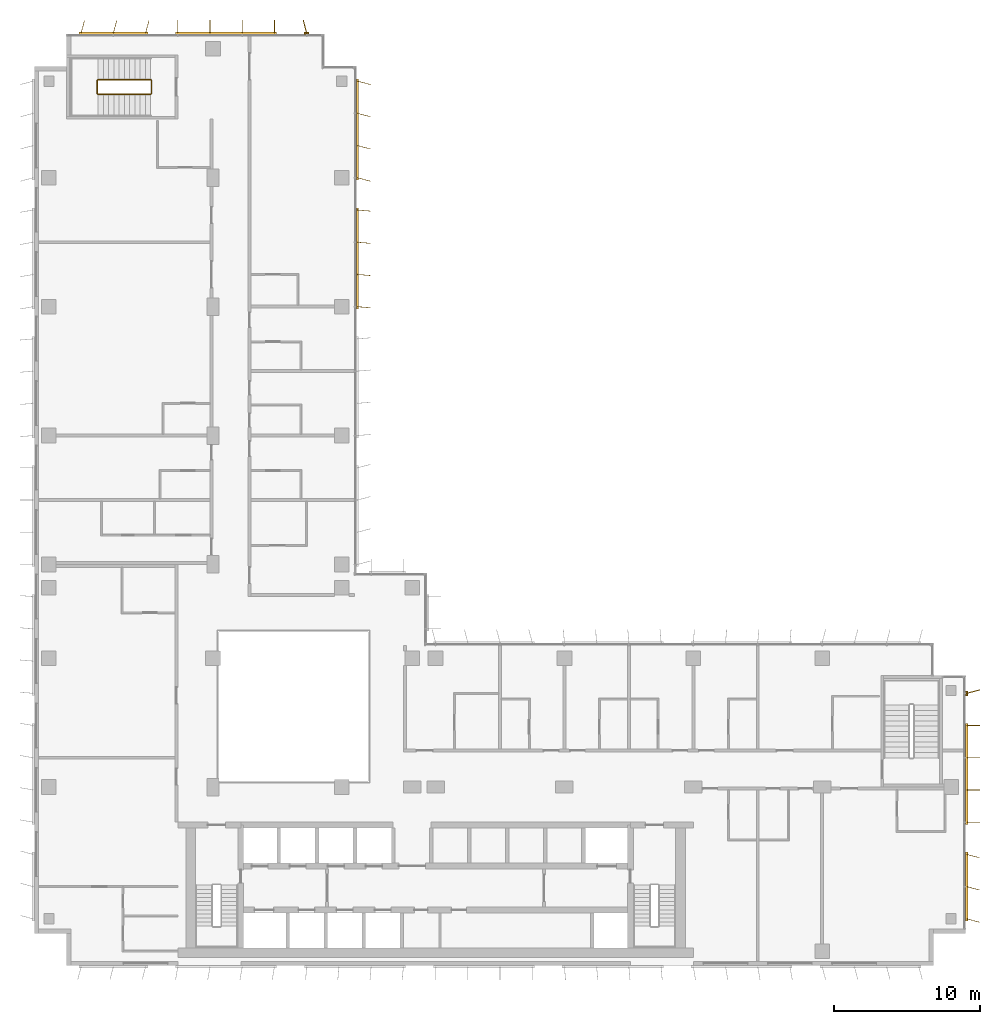
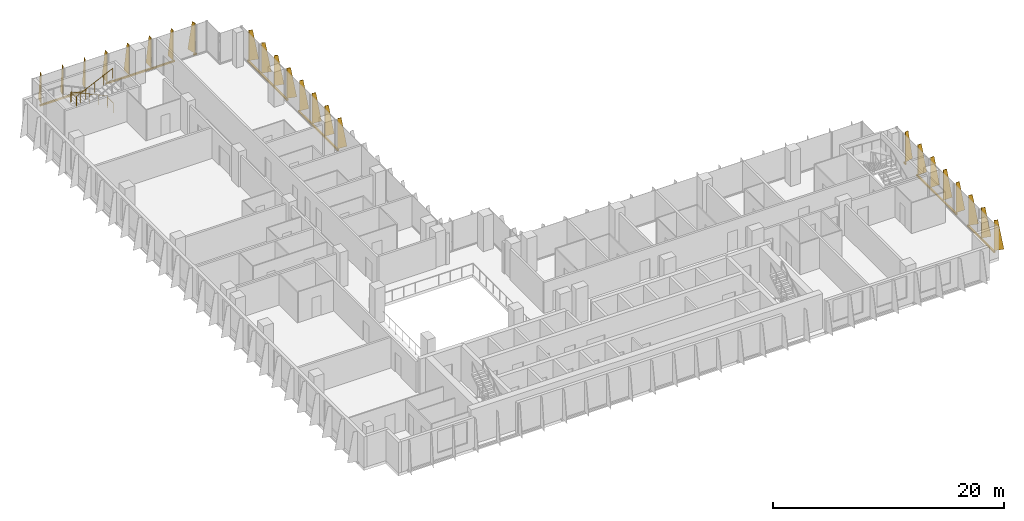
# One storey, part 21 of 21: 8 shading devices, 1 railing.
"""IFC4 building model written with IfcOpenShell, lengths in metres."""

from ifc_helpers import new_model, si_unit, direction, frame, origin, origin_2d, place, context, subcontext, project, spatial, polyline, rectangle, circle, outline, extrude, source, transform, mapped, material, layer, layer_set, type_object, element, save


model = new_model("IFC4")

# Units and contexts
model_context = context("Model", 3, precision=1e-05, world=origin(), true_north=direction((0.0, 1.0)))
body_context = subcontext(model_context, "Body", "Model", "MODEL_VIEW")
ifc_project = project(units=[si_unit("LENGTHUNIT", "METRE"), si_unit("AREAUNIT", "SQUARE_METRE"), si_unit("VOLUMEUNIT", "CUBIC_METRE"), si_unit("PLANEANGLEUNIT", "RADIAN"), si_unit("MASSUNIT", "GRAM", prefix="KILO")], contexts=[model_context])

# Site, building, storey
site_placement = place(None, origin())
site = spatial("IfcSite", under=ifc_project, at=site_placement, CompositionType="ELEMENT")
building_placement = place(site_placement, origin())
building = spatial("IfcBuilding", under=site, at=building_placement, Name="Kemantara Hotel Tower", CompositionType="ELEMENT")
storey_placement = place(building_placement, frame((0.0, 0.0, 198.800048828125)))
storey = spatial("IfcBuildingStorey", under=building, at=storey_placement, Name="L49", CompositionType="ELEMENT", Elevation=198.800048828125)

# Railing
ifc_material_1 = material(Name="Stainless steel balustrade", Category="steel")
railing_type = type_object("IfcRailingType", Name="Stair guard 1100 mm", PredefinedType="GUARDRAIL", material=ifc_material_1)
railing_placement = place(storey_placement, frame((7.949951171875, 59.5, 3.699951171875)))
element("IfcRailing", 1, at=railing_placement, inside=storey, type_object=railing_type, Name="L49 ST4 stair guard 1", PredefinedType="GUARDRAIL", context=body_context, shape_type="SweptSolid", body=[
    extrude(circle(Radius=0.02392578125, at=origin_2d()), frame((0.0, 0.0, 1.076171875), z_axis=(-0.905994681025, 0.0, -0.423289071386), x_axis=(0.0, -1.0, 0.0)), (0.0, 0.0, 1.0), 3.973388671875),
    extrude(circle(Radius=0.02392578125, at=origin_2d()), frame((-3.599853515625, 0.0, -0.60595703125), z_axis=(-0.274243871929, 0.274243871929, -0.92172696468), x_axis=(-0.707106781187, -0.707106781187, 0.0)), (0.0, 0.0, 1.0), 0.1826171875),
    extrude(circle(Radius=0.02392578125, at=origin_2d()), frame((-3.64990234375, 0.050048828125, -0.77392578125), z_axis=(0.0, 1.0, 0.0), x_axis=(-1.0, 0.0, 0.0)), (0.0, 0.0, 1.0), 0.89990234375),
    extrude(circle(Radius=0.02392578125, at=origin_2d()), frame((-3.64990234375, 0.949951171875, -0.77392578125), z_axis=(0.707106781187, 0.707106781187, 0.0), x_axis=(-0.707106781187, 0.707106781187, 0.0)), (0.0, 0.0, 1.0), 0.07080078125),
    extrude(circle(Radius=0.02392578125, at=origin_2d()), frame((-3.599853515625, 1.0, -0.77392578125), z_axis=(0.906018243939, 0.0, -0.423238634402), x_axis=(0.0, 1.0, 0.0)), (0.0, 0.0, 1.0), 3.973388671875),
    extrude(circle(Radius=0.02392578125, at=origin_2d()), frame((0.0, 1.0, -2.45556640625), z_axis=(0.274243871929, -0.274243871929, -0.92172696468), x_axis=(0.707106781187, 0.707106781187, 0.0)), (0.0, 0.0, 1.0), 0.1826171875),
    extrude(circle(Radius=0.02392578125, at=origin_2d()), frame((0.050048828125, 0.949951171875, -2.6240234375), z_axis=(0.0, -1.0, 0.0), x_axis=(1.0, 0.0, 0.0)), (0.0, 0.0, 1.0), 0.89990234375),
    extrude(circle(Radius=0.02099609375, at=origin_2d()), origin(), (0.0, 0.0, 1.0), 1.052001953125),
    extrude(circle(Radius=0.02099609375, at=origin_2d()), frame((-0.89990234375, 0.0, -0.42041015625)), (0.0, 0.0, 1.0), 1.052001953125),
    extrude(circle(Radius=0.02099609375, at=origin_2d()), frame((-1.7998046875, 0.0, -0.8408203125)), (0.0, 0.0, 1.0), 1.052001953125),
    extrude(circle(Radius=0.02099609375, at=origin_2d()), frame((-2.699951171875, 0.0, -1.261474609375)), (0.0, 0.0, 1.0), 1.052001953125),
    extrude(circle(Radius=0.02099609375, at=origin_2d()), frame((-3.599853515625, 0.0, -1.681884765625)), (0.0, 0.0, 1.0), 1.052001953125),
    extrude(circle(Radius=0.02099609375, at=origin_2d()), frame((-3.64990234375, 0.050048828125, -1.85009765625)), (0.0, 0.0, 1.0), 1.052001953125),
    extrude(circle(Radius=0.02099609375, at=origin_2d()), frame((-3.64990234375, 0.949951171875, -1.85009765625)), (0.0, 0.0, 1.0), 1.052001953125),
    extrude(circle(Radius=0.02099609375, at=origin_2d()), frame((-3.599853515625, 1.0, -1.85009765625)), (0.0, 0.0, 1.0), 1.052001953125),
    extrude(circle(Radius=0.02099609375, at=origin_2d()), frame((-2.699951171875, 1.0, -2.2705078125)), (0.0, 0.0, 1.0), 1.052001953125),
    extrude(circle(Radius=0.02099609375, at=origin_2d()), frame((-1.7998046875, 1.0, -2.69091796875)), (0.0, 0.0, 1.0), 1.052001953125),
    extrude(circle(Radius=0.02099609375, at=origin_2d()), frame((-0.89990234375, 1.0, -3.111328125)), (0.0, 0.0, 1.0), 1.052001953125),
    extrude(circle(Radius=0.02099609375, at=origin_2d()), frame((0.0, 1.0, -3.53173828125)), (0.0, 0.0, 1.0), 1.052001953125),
    extrude(circle(Radius=0.02099609375, at=origin_2d()), frame((0.050048828125, 0.949951171875, -3.699951171875)), (0.0, 0.0, 1.0), 1.052001953125),
    extrude(circle(Radius=0.02099609375, at=origin_2d()), frame((0.050048828125, 0.050048828125, -3.699951171875)), (0.0, 0.0, 1.0), 1.052001953125),
])

# Shading devices
ifc_material_2 = material(Name="Perforated aluminium plate 4 mm bronze anodised", Category="aluminium")
ifc_layer_1 = layer(ifc_material_2, 0.0400390625)
ifc_layer_set_1 = layer_set([ifc_layer_1], Name="Perforated aluminium plate 4 mm bronze anodised")
shading_device_type_1 = type_object("IfcShadingDeviceType", Name="SCREEN FIN CASSETTE, 3 BLADES AT -15.0 DEG, 3200 HIGH", PredefinedType="USERDEFINED", material=ifc_layer_set_1)
shared_shape_1 = source(origin(), body_context, "Body", "SweptSolid", [
    extrude(rectangle(XDim=4.699951171875, YDim=0.14990234375, at=origin_2d()), frame((2.199951171875, -0.074951171875, -0.14990234375), z_axis=(0.0, 0.0, 1.0), x_axis=(1.0, 0.0, 0.0)), (0.0, 0.0, 1.0), 0.14990234375),
    extrude(outline(polyline([(0.0, 0.0), (0.89990234375, 0.0), (0.35009765625, 3.199951171875), (0.0, 3.199951171875), (0.0, 0.0)])), frame((0.019287109375, -0.080078125, 0.0), z_axis=(-0.966437683387, 0.256901156343, 0.0), x_axis=(-0.256901156343, -0.966437683387, 0.0)), (0.0, 0.0, 1.0), 0.039794921875),
    extrude(outline(polyline([(0.0, 0.0), (0.89990234375, 0.0), (0.35009765625, 3.199951171875), (0.0, 3.199951171875), (0.0, 0.0)])), frame((2.21923828125, -0.080078125, 0.0), z_axis=(-0.966437683387, 0.256901156343, 0.0), x_axis=(-0.256901156343, -0.966437683387, 0.0)), (0.0, 0.0, 1.0), 0.039794921875),
    extrude(outline(polyline([(0.0, 0.0), (0.89990234375, 0.0), (0.35009765625, 3.199951171875), (0.0, 3.199951171875), (0.0, 0.0)])), frame((4.41943359375, -0.080078125, 0.0), z_axis=(-0.966837822169, 0.255391122837, 0.0), x_axis=(-0.255391122837, -0.966837822169, 0.0)), (0.0, 0.0, 1.0), 0.0400390625),
])
for number, where, z_axis, x_axis, name in (
    (2, (7.60009765625, 63.60009765625, 0.099853515625), (0.0, 0.0, 1.0), (-1.0, 0.0, 0.0), "SCREEN FIN CASSETTE L49 T3-R02-3"),
    (3, (63.60009765625, 3.199951171875, 0.099853515625), (0.0, 0.0, 1.0), (0.0, 1.0, 0.0), "SCREEN FIN CASSETTE L49 T3-R11-1"),
):
    element("IfcShadingDevice", number, at=place(storey_placement, frame(where, z_axis=z_axis, x_axis=x_axis)), inside=storey, type_object=shading_device_type_1, Name=name, ObjectType="SCREEN FIN", PredefinedType="USERDEFINED", context=body_context, shape_type="MappedRepresentation", body=[
        mapped(shared_shape_1, transform((0.0, 0.0, 0.0))),
    ])
ifc_layer_2 = layer(ifc_material_2, 0.0400390625)
ifc_layer_set_2 = layer_set([ifc_layer_2], Name="Perforated aluminium plate 4 mm bronze anodised")
shading_device_type_2 = type_object("IfcShadingDeviceType", Name="SCREEN FIN CASSETTE, 4 BLADES AT -5.0 DEG, 3200 HIGH", PredefinedType="USERDEFINED", material=ifc_layer_set_2)
shared_shape_2 = source(origin(), body_context, "Body", "SweptSolid", [
    extrude(rectangle(XDim=6.89990234375, YDim=0.14990234375, at=origin_2d()), frame((3.300048828125, -0.074951171875, -0.14990234375), z_axis=(0.0, 0.0, 1.0), x_axis=(1.0, 0.0, 0.0)), (0.0, 0.0, 1.0), 0.14990234375),
    extrude(outline(polyline([(0.0, 0.0), (0.89990234375, 0.0), (0.35009765625, 3.199951171875), (0.0, 3.199951171875), (0.0, 0.0)])), frame((0.02001953125, -0.07666015625, 0.0), z_axis=(-0.996376129781, 0.085056498884, 0.0), x_axis=(-0.085056498884, -0.996376129781, 0.0)), (0.0, 0.0, 1.0), 0.040283203125),
    extrude(outline(polyline([(0.0, 0.0), (0.89990234375, 0.0), (0.35009765625, 3.199951171875), (0.0, 3.199951171875), (0.0, 0.0)])), frame((2.219970703125, -0.07666015625, 0.0), z_axis=(-0.996331773833, 0.085574508182, 0.0), x_axis=(-0.085574508182, -0.996331773833, 0.0)), (0.0, 0.0, 1.0), 0.0400390625),
    extrude(outline(polyline([(0.0, 0.0), (0.89990234375, 0.0), (0.35009765625, 3.199951171875), (0.0, 3.199951171875), (0.0, 0.0)])), frame((4.419921875, -0.07666015625, 0.0), z_axis=(-0.996331773833, 0.085574508182, 0.0), x_axis=(-0.085574508182, -0.996331773833, 0.0)), (0.0, 0.0, 1.0), 0.0400390625),
    extrude(outline(polyline([(0.0, 0.0), (0.89990234375, 0.0), (0.35009765625, 3.199951171875), (0.0, 3.199951171875), (0.0, 0.0)])), frame((6.619873046875, -0.07666015625, 0.0), z_axis=(-0.996331773833, 0.085574508182, 0.0), x_axis=(-0.085574508182, -0.996331773833, 0.0)), (0.0, 0.0, 1.0), 0.0400390625),
])
shading_device_1_placement = place(storey_placement, frame((22.0, 45.0, 0.099853515625), z_axis=(0.0, 0.0, 1.0), x_axis=(0.0, 1.0, 0.0)))
element("IfcShadingDevice", 4, at=shading_device_1_placement, inside=storey, type_object=shading_device_type_2, Name="SCREEN FIN CASSETTE L49 T3-R17-3", ObjectType="SCREEN FIN", PredefinedType="USERDEFINED", context=body_context, shape_type="MappedRepresentation", body=[
    mapped(shared_shape_2, transform((0.0, 0.0, 0.0))),
])
ifc_layer_3 = layer(ifc_material_2, 0.0400390625)
ifc_layer_set_3 = layer_set([ifc_layer_3], Name="Perforated aluminium plate 4 mm bronze anodised")
shading_device_type_3 = type_object("IfcShadingDeviceType", Name="SCREEN FIN CASSETTE, 4 BLADES AT +0.0 DEG, 3200 HIGH", PredefinedType="USERDEFINED", material=ifc_layer_set_3)
shared_shape_3 = source(origin(), body_context, "Body", "SweptSolid", [
    extrude(rectangle(XDim=6.89990234375, YDim=0.14990234375, at=origin_2d()), frame((3.300048828125, -0.074951171875, -0.14990234375), z_axis=(0.0, 0.0, 1.0), x_axis=(1.0, 0.0, 0.0)), (0.0, 0.0, 1.0), 0.14990234375),
    extrude(outline(polyline([(0.0, 0.0), (0.89990234375, 0.0), (0.35009765625, 3.199951171875), (0.0, 3.199951171875), (0.0, 0.0)])), frame((0.02001953125, -0.074951171875, 0.0), z_axis=(-1.0, 0.0, 0.0), x_axis=(0.0, -1.0, 0.0)), (0.0, 0.0, 1.0), 0.0400390625),
    extrude(outline(polyline([(0.0, 0.0), (0.89990234375, 0.0), (0.35009765625, 3.199951171875), (0.0, 3.199951171875), (0.0, 0.0)])), frame((2.219970703125, -0.074951171875, 0.0), z_axis=(-1.0, 0.0, 0.0), x_axis=(0.0, -1.0, 0.0)), (0.0, 0.0, 1.0), 0.0400390625),
    extrude(outline(polyline([(0.0, 0.0), (0.89990234375, 0.0), (0.35009765625, 3.199951171875), (0.0, 3.199951171875), (0.0, 0.0)])), frame((4.419921875, -0.074951171875, 0.0), z_axis=(-1.0, 0.0, 0.0), x_axis=(0.0, -1.0, 0.0)), (0.0, 0.0, 1.0), 0.0400390625),
    extrude(outline(polyline([(0.0, 0.0), (0.89990234375, 0.0), (0.35009765625, 3.199951171875), (0.0, 3.199951171875), (0.0, 0.0)])), frame((6.6201171875, -0.074951171875, 0.0), z_axis=(-1.0, 0.0, 0.0), x_axis=(0.0, -1.0, 0.0)), (0.0, 0.0, 1.0), 0.0400390625),
])
for number, where, z_axis, x_axis, name in (
    (5, (16.39990234375, 63.60009765625, 0.099853515625), (0.0, 0.0, 1.0), (-1.0, 0.0, 0.0), "SCREEN FIN CASSETTE L49 T3-R02-2"),
    (6, (63.60009765625, 9.800048828125, 0.099853515625), (0.0, 0.0, 1.0), (0.0, 1.0, 0.0), "SCREEN FIN CASSETTE L49 T3-R11-2"),
):
    element("IfcShadingDevice", number, at=place(storey_placement, frame(where, z_axis=z_axis, x_axis=x_axis)), inside=storey, type_object=shading_device_type_3, Name=name, ObjectType="SCREEN FIN", PredefinedType="USERDEFINED", context=body_context, shape_type="MappedRepresentation", body=[
        mapped(shared_shape_3, transform((0.0, 0.0, 0.0))),
    ])
ifc_layer_4 = layer(ifc_material_2, 0.0400390625)
ifc_layer_set_4 = layer_set([ifc_layer_4], Name="Perforated aluminium plate 4 mm bronze anodised")
shading_device_type_4 = type_object("IfcShadingDeviceType", Name="SCREEN FIN CASSETTE, 4 BLADES AT -15.0 DEG, 3200 HIGH", PredefinedType="USERDEFINED", material=ifc_layer_set_4)
shared_shape_4 = source(origin(), body_context, "Body", "SweptSolid", [
    extrude(rectangle(XDim=6.89990234375, YDim=0.14990234375, at=origin_2d()), frame((3.300048828125, -0.074951171875, -0.14990234375), z_axis=(0.0, 0.0, 1.0), x_axis=(1.0, 0.0, 0.0)), (0.0, 0.0, 1.0), 0.14990234375),
    extrude(outline(polyline([(0.0, 0.0), (0.89990234375, 0.0), (0.35009765625, 3.199951171875), (0.0, 3.199951171875), (0.0, 0.0)])), frame((0.019287109375, -0.080078125, 0.0), z_axis=(-0.966437683387, 0.256901156343, 0.0), x_axis=(-0.256901156343, -0.966437683387, 0.0)), (0.0, 0.0, 1.0), 0.039794921875),
    extrude(outline(polyline([(0.0, 0.0), (0.89990234375, 0.0), (0.35009765625, 3.199951171875), (0.0, 3.199951171875), (0.0, 0.0)])), frame((2.21923828125, -0.080078125, 0.0), z_axis=(-0.966437683387, 0.256901156343, 0.0), x_axis=(-0.256901156343, -0.966437683387, 0.0)), (0.0, 0.0, 1.0), 0.039794921875),
    extrude(outline(polyline([(0.0, 0.0), (0.89990234375, 0.0), (0.35009765625, 3.199951171875), (0.0, 3.199951171875), (0.0, 0.0)])), frame((4.41943359375, -0.080078125, 0.0), z_axis=(-0.966837822169, 0.255391122837, 0.0), x_axis=(-0.255391122837, -0.966837822169, 0.0)), (0.0, 0.0, 1.0), 0.0400390625),
    extrude(outline(polyline([(0.0, 0.0), (0.89990234375, 0.0), (0.35009765625, 3.199951171875), (0.0, 3.199951171875), (0.0, 0.0)])), frame((6.619384765625, -0.080078125, 0.0), z_axis=(-0.966837822169, 0.255391122837, 0.0), x_axis=(-0.255391122837, -0.966837822169, 0.0)), (0.0, 0.0, 1.0), 0.0400390625),
])
shading_device_2_placement = place(storey_placement, frame((22.0, 53.800048828125, 0.099853515625), z_axis=(0.0, 0.0, 1.0), x_axis=(0.0, 1.0, 0.0)))
element("IfcShadingDevice", 7, at=shading_device_2_placement, inside=storey, type_object=shading_device_type_4, Name="SCREEN FIN CASSETTE L49 T3-R17-4", ObjectType="SCREEN FIN", PredefinedType="USERDEFINED", context=body_context, shape_type="MappedRepresentation", body=[
    mapped(shared_shape_4, transform((0.0, 0.0, 0.0))),
])
ifc_layer_5 = layer(ifc_material_2, 0.0400390625)
ifc_layer_set_5 = layer_set([ifc_layer_5], Name="Perforated aluminium plate 4 mm bronze anodised")
shading_device_type_5 = type_object("IfcShadingDeviceType", Name="SCREEN FIN CASSETTE, 1 BLADE AT +15.0 DEG, 3200 HIGH", PredefinedType="USERDEFINED", material=ifc_layer_set_5)
shared_shape_5 = source(origin(), body_context, "Body", "SweptSolid", [
    extrude(rectangle(XDim=0.300048828125, YDim=0.14990234375, at=origin_2d()), frame((0.0, -0.074951171875, -0.14990234375), z_axis=(0.0, 0.0, 1.0), x_axis=(1.0, 0.0, 0.0)), (0.0, 0.0, 1.0), 0.14990234375),
    extrude(outline(polyline([(0.0, 0.0), (0.89990234375, 0.0), (0.35009765625, 3.199951171875), (0.0, 3.199951171875), (0.0, 0.0)])), frame((0.019287109375, -0.06982421875, 0.0), z_axis=(-0.966437683387, -0.256901156343, 0.0), x_axis=(0.256901156343, -0.966437683387, 0.0)), (0.0, 0.0, 1.0), 0.039794921875),
])
for number, where, z_axis, x_axis, name in (
    (8, (18.60009765625, 63.60009765625, 0.099853515625), (0.0, 0.0, 1.0), (-1.0, 0.0, 0.0), "SCREEN FIN CASSETTE L49 T3-R02-1"),
    (9, (63.60009765625, 18.60009765625, 0.099853515625), (0.0, 0.0, 1.0), (0.0, 1.0, 0.0), "SCREEN FIN CASSETTE L49 T3-R11-3"),
):
    element("IfcShadingDevice", number, at=place(storey_placement, frame(where, z_axis=z_axis, x_axis=x_axis)), inside=storey, type_object=shading_device_type_5, Name=name, ObjectType="SCREEN FIN", PredefinedType="USERDEFINED", context=body_context, shape_type="MappedRepresentation", body=[
        mapped(shared_shape_5, transform((0.0, 0.0, 0.0))),
    ])

save(model, "model.ifc")
